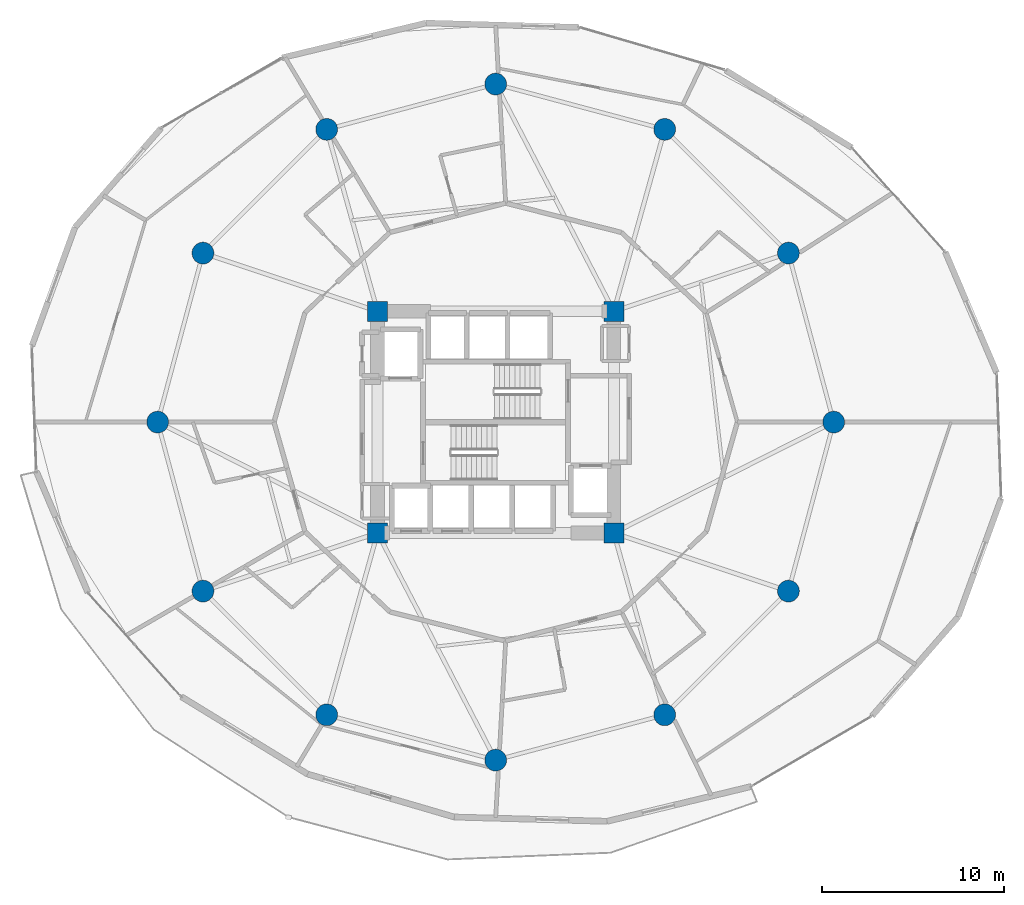
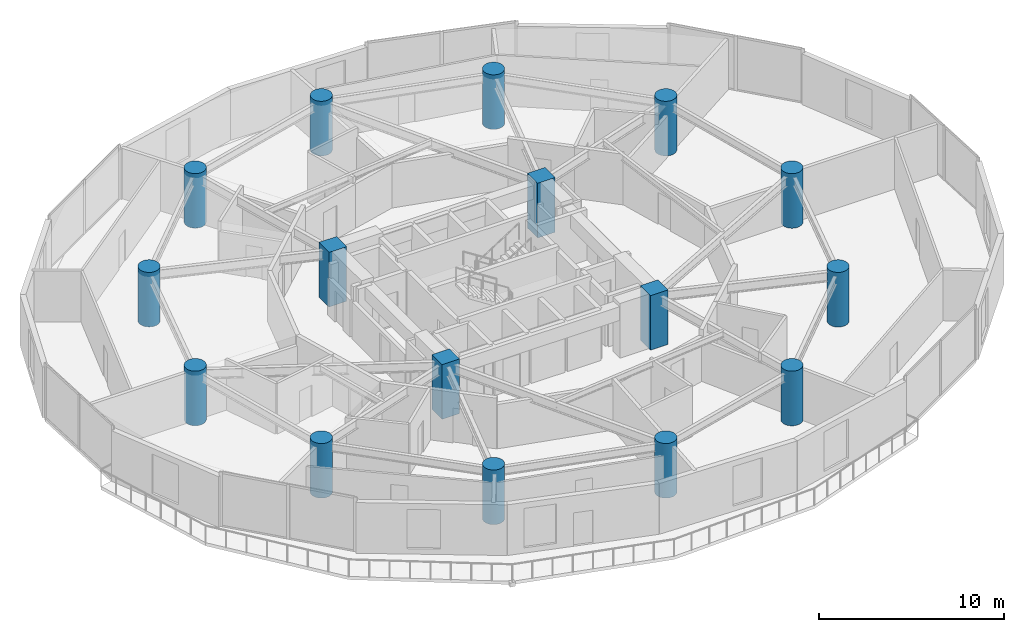
# One storey, part 1 of 23: 16 columns.
"""IFC4 building model written with IfcOpenShell, lengths in metres."""

from ifc_helpers import new_model, si_unit, direction, frame, origin, origin_2d, place, context, subcontext, project, spatial, rectangle, circle, extrude, material, material_profile, profile_set, type_object, element, save


model = new_model("IFC4")

# Units and contexts
model_context = context("Model", 3, precision=1e-05, world=origin(), true_north=direction((0.0, 1.0)))
body_context = subcontext(model_context, "Body", "Model", "MODEL_VIEW")
ifc_project = project(units=[si_unit("LENGTHUNIT", "METRE"), si_unit("AREAUNIT", "SQUARE_METRE"), si_unit("VOLUMEUNIT", "CUBIC_METRE"), si_unit("PLANEANGLEUNIT", "RADIAN"), si_unit("MASSUNIT", "GRAM", prefix="KILO")], contexts=[model_context])

# Site, building, storey
site_placement = place(None, origin())
site = spatial("IfcSite", under=ifc_project, at=site_placement, CompositionType="ELEMENT")
building_placement = place(site_placement, origin())
building = spatial("IfcBuilding", under=site, at=building_placement, Name="Solvirekh Grand Hotel", CompositionType="ELEMENT")
storey_placement = place(building_placement, frame((0.0, 0.0, 42.800048828125)))
storey = spatial("IfcBuildingStorey", under=building, at=storey_placement, Name="L09", CompositionType="ELEMENT", Elevation=42.800048828125)

# Columns
ifc_material = material(Name="Concrete C60/75", Category="concrete")
ifc_material_profile_1 = material_profile(ifc_material, rectangle(XDim=1.10009765625, YDim=1.10009765625, at=origin_2d()), Name="RC 1100X1100")
ifc_profile_set_1 = profile_set([ifc_material_profile_1], Name="Concrete C60/75")
column_type_1 = type_object("IfcColumnType", Name="Col_Core_1100", PredefinedType="COLUMN", material=ifc_profile_set_1)
for number, where, z_axis, x_axis, name in (
    (1, (-6.5, -6.10009765625, 0.0), (0.0, 0.0, 1.0), (1.0, 0.0, 0.0), "L09 core corner column CC1"),
    (2, (6.5, -6.10009765625, 0.0), (0.0, 0.0, 1.0), (1.0, 0.0, 0.0), "L09 core corner column CC2"),
    (3, (6.5, 6.10009765625, 0.0), (0.0, 0.0, 1.0), (1.0, 0.0, 0.0), "L09 core corner column CC3"),
    (4, (-6.5, 6.10009765625, 0.0), (0.0, 0.0, 1.0), (1.0, 0.0, 0.0), "L09 core corner column CC4"),
):
    element("IfcColumn", number, at=place(storey_placement, frame(where, z_axis=z_axis, x_axis=x_axis)), inside=storey, type_object=column_type_1, Name=name, PredefinedType="COLUMN", context=body_context, shape_type="SweptSolid", body=[
        extrude(rectangle(XDim=1.10009765625, YDim=1.10009765625, at=origin_2d()), origin(), (0.0, 0.0, 1.0), 3.599853515625),
    ])
ifc_material_profile_2 = material_profile(ifc_material, circle(Radius=0.60009765625, at=origin_2d()), Name="RC CIRC D1200")
ifc_profile_set_2 = profile_set([ifc_material_profile_2], Name="Concrete C60/75")
column_type_2 = type_object("IfcColumnType", Name="Col_Z1_D1200", PredefinedType="COLUMN", material=ifc_profile_set_2)
for number, where, z_axis, x_axis, name in (
    (5, (18.60009765625, 0.0, 0.0), (0.0, 0.0, 1.0), (1.0, 0.0, 0.0), "L09 perimeter column P01"),
    (6, (16.10791015625, 9.300048828125, 0.0), (0.0, 0.0, 1.0), (1.0, 0.0, 0.0), "L09 perimeter column P02"),
    (7, (9.300048828125, 16.10791015625, 0.0), (0.0, 0.0, 1.0), (1.0, 0.0, 0.0), "L09 perimeter column P03"),
    (8, (0.0, 18.60009765625, 0.0), (0.0, 0.0, 1.0), (1.0, 0.0, 0.0), "L09 perimeter column P04"),
    (9, (-9.300048828125, 16.10791015625, 0.0), (0.0, 0.0, 1.0), (1.0, 0.0, 0.0), "L09 perimeter column P05"),
    (10, (-16.10791015625, 9.300048828125, 0.0), (0.0, 0.0, 1.0), (1.0, 0.0, 0.0), "L09 perimeter column P06"),
    (11, (-18.60009765625, 0.0, 0.0), (0.0, 0.0, 1.0), (1.0, 0.0, 0.0), "L09 perimeter column P07"),
    (12, (-16.10791015625, -9.300048828125, 0.0), (0.0, 0.0, 1.0), (1.0, 0.0, 0.0), "L09 perimeter column P08"),
    (13, (-9.300048828125, -16.10791015625, 0.0), (0.0, 0.0, 1.0), (1.0, 0.0, 0.0), "L09 perimeter column P09"),
    (14, (0.0, -18.60009765625, 0.0), (0.0, 0.0, 1.0), (1.0, 0.0, 0.0), "L09 perimeter column P10"),
    (15, (9.300048828125, -16.10791015625, 0.0), (0.0, 0.0, 1.0), (1.0, 0.0, 0.0), "L09 perimeter column P11"),
    (16, (16.10791015625, -9.300048828125, 0.0), (0.0, 0.0, 1.0), (1.0, 0.0, 0.0), "L09 perimeter column P12"),
):
    element("IfcColumn", number, at=place(storey_placement, frame(where, z_axis=z_axis, x_axis=x_axis)), inside=storey, type_object=column_type_2, Name=name, PredefinedType="COLUMN", context=body_context, shape_type="SweptSolid", body=[
        extrude(circle(Radius=0.60009765625, at=origin_2d()), origin(), (0.0, 0.0, 1.0), 3.599853515625),
    ])

save(model, "model.ifc")
